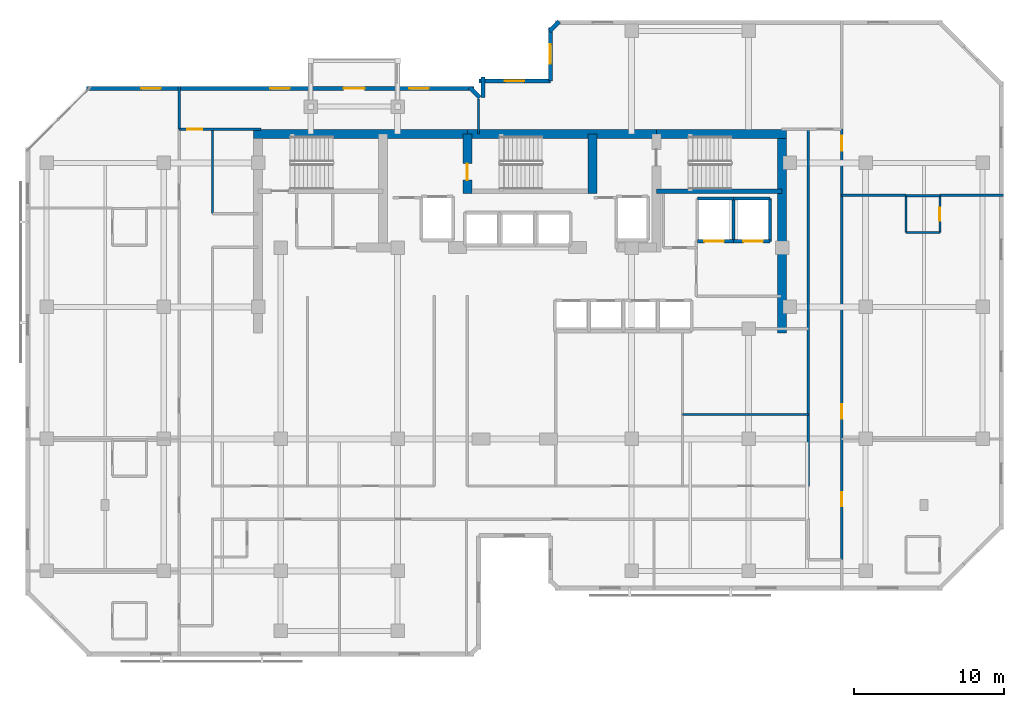
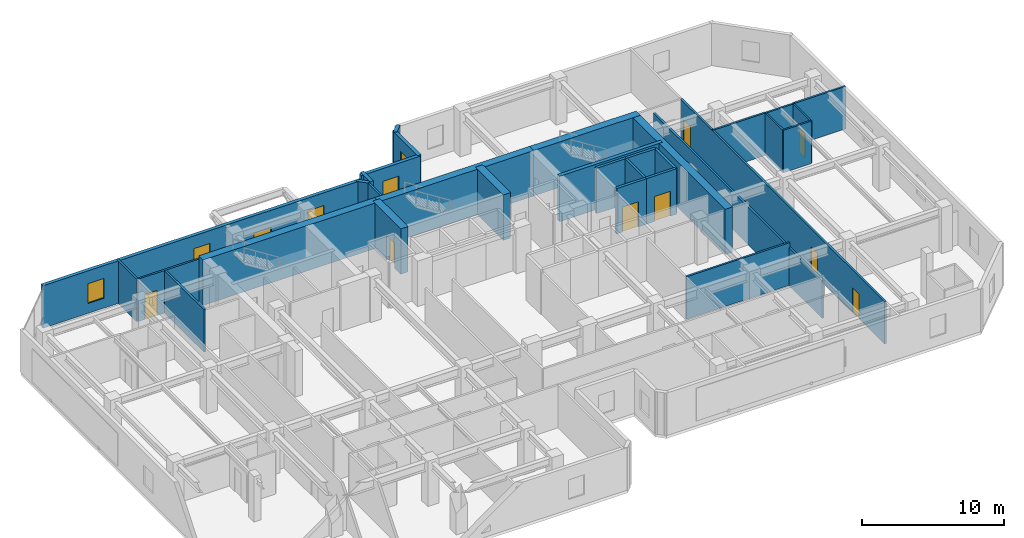
# One storey, part 7 of 10: 32 walls, 9 doors, 5 windows, 14 openings.
"""IFC4 building model written with IfcOpenShell, lengths in metres."""

from ifc_helpers import new_model, si_unit, direction, frame, frame_2d, origin, place, context, subcontext, project, spatial, rectangle, extrude, material, layer, layer_set, type_object, element, fill, save


model = new_model("IFC4")

# Units and contexts
model_context = context("Model", 3, precision=1e-05, world=origin(), true_north=direction((0.0, 1.0)))
body_context = subcontext(model_context, "Body", "Model", "MODEL_VIEW")
ifc_project = project(units=[si_unit("LENGTHUNIT", "METRE"), si_unit("AREAUNIT", "SQUARE_METRE"), si_unit("VOLUMEUNIT", "CUBIC_METRE"), si_unit("PLANEANGLEUNIT", "RADIAN"), si_unit("MASSUNIT", "GRAM", prefix="KILO")], contexts=[model_context])

# Site, building, storey
site_placement = place(None, origin())
site = spatial("IfcSite", under=ifc_project, at=site_placement, CompositionType="ELEMENT")
building_placement = place(site_placement, origin())
building = spatial("IfcBuilding", under=site, at=building_placement, Name="Kestravale Grand Hotel", CompositionType="ELEMENT")
storey_placement = place(building_placement, frame((0.0, 0.0, 212.39990234375)))
storey = spatial("IfcBuildingStorey", under=building, at=storey_placement, Name="L53", CompositionType="ELEMENT", Elevation=212.39990234375)

# Walls
ifc_material_1 = material(Name="Concrete f'c 50 MPa", Category="concrete")
ifc_layer_1 = layer(ifc_material_1, 0.60009765625)
ifc_layer_set_1 = layer_set([ifc_layer_1], Name="EW-CORE-600")
wall_type_1 = type_object("IfcWallType", Name="EW-CORE-600", PredefinedType="SHEAR", material=ifc_layer_set_1)
wall_1_placement = place(storey_placement, frame((21.60009765625, 40.320068359375, 0.0), z_axis=(0.0, 0.0, 1.0), x_axis=(1.0, 0.0, 0.0)))
element("IfcWall", 1, at=wall_1_placement, inside=storey, type_object=wall_type_1, Name="L53 core shear wall N1", PredefinedType="SHEAR", context=body_context, shape_type="SweptSolid", body=[
    extrude(rectangle(XDim=14.25, YDim=0.60009765625, at=frame_2d((7.125, 0.0))), origin(), (0.0, 0.0, 1.0), 3.900146484375),
])
wall_2_placement = place(storey_placement, frame((35.85009765625, 40.320068359375, 0.0), z_axis=(0.0, 0.0, 1.0), x_axis=(1.0, 0.0, 0.0)))
element("IfcWall", 2, at=wall_2_placement, inside=storey, type_object=wall_type_1, Name="L53 core shear wall N2", PredefinedType="SHEAR", context=body_context, shape_type="SweptSolid", body=[
    extrude(rectangle(XDim=12.599853515625, YDim=0.60009765625, at=frame_2d((6.2998046875, 0.0))), origin(), (0.0, 0.0, 1.0), 3.900146484375),
])
wall_3_placement = place(storey_placement, frame((48.449951171875, 40.320068359375, 0.0), z_axis=(0.0, 0.0, 1.0), x_axis=(1.0, 0.0, 0.0)))
element("IfcWall", 3, at=wall_3_placement, inside=storey, type_object=wall_type_1, Name="L53 core shear wall N3", PredefinedType="SHEAR", context=body_context, shape_type="SweptSolid", body=[
    extrude(rectangle(XDim=8.670166015625, YDim=0.60009765625, at=frame_2d((4.3349609375, 0.0))), origin(), (0.0, 0.0, 1.0), 3.900146484375),
])
wall_4_placement = place(storey_placement, frame((56.820068359375, 27.050048828125, 0.0), z_axis=(0.0, 0.0, 1.0), x_axis=(0.0, 1.0, 0.0)))
element("IfcWall", 4, at=wall_4_placement, inside=storey, type_object=wall_type_1, Name="L53 core shear wall E1", PredefinedType="SHEAR", context=body_context, shape_type="SweptSolid", body=[
    extrude(rectangle(XDim=13.570068359375, YDim=0.60009765625, at=frame_2d((6.78515625, 0.0))), origin(), (0.0, 0.0, 1.0), 3.900146484375),
])

# Wall, opening, door
wall_5_placement = place(storey_placement, frame((35.85009765625, 36.3701171875, 0.0), z_axis=(0.0, 0.0, 1.0), x_axis=(0.0, 1.0, 0.0)))
wall_5 = element("IfcWall", 5, at=wall_5_placement, inside=storey, type_object=wall_type_1, Name="L53 core shear wall X2", PredefinedType="SHEAR", context=body_context, shape_type="SweptSolid", body=[
    extrude(rectangle(XDim=3.949951171875, YDim=0.60009765625, at=frame_2d((1.97509765625, 0.0))), origin(), (0.0, 0.0, 1.0), 3.900146484375),
])
opening_1_placement = place(wall_5_placement, frame((0.8798828125, 0.0, 0.0)))
opening_1 = element("IfcOpeningElement", 6, at=opening_1_placement, cuts=wall_5, Name="Opening D-ST-1100", PredefinedType="OPENING", context=body_context, shape_type="SweptSolid", body=[
    extrude(rectangle(XDim=1.10009765625, YDim=2.14990234375, at=frame_2d((0.550048828125, 1.074951171875))), frame((0.0, 0.31005859375, 0.0), z_axis=(0.0, -1.0, 0.0), x_axis=(1.0, 0.0, 0.0)), (0.0, 0.0, 1.0), 0.6201171875),
])
ifc_material_2 = material(Name="Galvanised 90-minute fire-rated steel stair door", Category="steel")
door_type_1 = type_object("IfcDoorType", Name="D-ST-1100", OperationType="NOTDEFINED", PredefinedType="DOOR", material=ifc_material_2)
door_1_placement = place(opening_1_placement, origin())
door_1 = element("IfcDoor", 7, at=door_1_placement, inside=storey, type_object=door_type_1, Name="L53 Stair ST-2 FSAE fire door", OperationType="SINGLE_SWING_RIGHT", OverallHeight=2.14990234375, OverallWidth=1.10009765625, PredefinedType="DOOR", context=body_context, shape_type="SweptSolid", body=[
    extrude(rectangle(XDim=1.10009765625, YDim=2.14990234375, at=frame_2d((0.550048828125, 1.074951171875))), frame((0.0, 0.02490234375, 0.0), z_axis=(0.0, -1.0, 0.0), x_axis=(1.0, 0.0, 0.0)), (0.0, 0.0, 1.0), 0.050048828125),
])
fill(opening_1, door_1)

# Walls
wall_6_placement = place(storey_placement, frame((44.179931640625, 36.3701171875, 0.0), z_axis=(0.0, 0.0, 1.0), x_axis=(0.0, 1.0, 0.0)))
element("IfcWall", 8, at=wall_6_placement, inside=storey, type_object=wall_type_1, Name="L53 core shear wall X3", PredefinedType="SHEAR", context=body_context, shape_type="SweptSolid", body=[
    extrude(rectangle(XDim=3.949951171875, YDim=0.60009765625, at=frame_2d((1.97509765625, 0.0))), origin(), (0.0, 0.0, 1.0), 3.900146484375),
])
ifc_material_3 = material(Name="Precast concrete f'c 45 MPa", Category="concrete")
ifc_layer_2 = layer(ifc_material_3, 0.280029296875)
ifc_layer_set_2 = layer_set([ifc_layer_2], Name="EW-PREC-280")
wall_type_2 = type_object("IfcWallType", Name="EW-PREC-280", PredefinedType="SOLIDWALL", material=ifc_layer_set_2)
wall_7_placement = place(storey_placement, frame((41.977294921875, 47.829345703125, 0.0), z_axis=(0.0, 0.0, 1.0), x_axis=(-0.706975312048, -0.707238225886, 0.0)))
element("IfcWall", 9, at=wall_7_placement, inside=storey, type_object=wall_type_2, Name="L53 fluted precast facade wall 12", PredefinedType="SOLIDWALL", context=body_context, shape_type="SweptSolid", body=[
    extrude(rectangle(XDim=0.9287109375, YDim=0.280029296875, at=frame_2d((0.46435546875, 0.0))), origin(), (0.0, 0.0, 1.0), 3.650146484375),
])

# Wall, opening, window
wall_8_placement = place(storey_placement, frame((41.389892578125, 47.43994140625, 0.0), z_axis=(0.0, 0.0, 1.0), x_axis=(0.0, -1.0, 0.0)))
wall_8 = element("IfcWall", 10, at=wall_8_placement, inside=storey, type_object=wall_type_2, Name="L53 fluted precast facade wall 13", PredefinedType="SOLIDWALL", context=body_context, shape_type="SweptSolid", body=[
    extrude(rectangle(XDim=3.579833984375, YDim=0.280029296875, at=frame_2d((1.7900390625, 0.0))), origin(), (0.0, 0.0, 1.0), 3.650146484375),
])
opening_2_placement = place(wall_8_placement, frame((1.139892578125, 0.0, 0.85009765625)))
opening_2 = element("IfcOpeningElement", 11, at=opening_2_placement, cuts=wall_8, Name="Opening W-GUEST-1300", PredefinedType="OPENING", context=body_context, shape_type="SweptSolid", body=[
    extrude(rectangle(XDim=1.300048828125, YDim=1.699951171875, at=frame_2d((0.64990234375, 0.85009765625))), frame((0.0, 0.14990234375, 0.0), z_axis=(0.0, -1.0, 0.0), x_axis=(1.0, 0.0, 0.0)), (0.0, 0.0, 1.0), 0.300048828125),
])
ifc_material_4 = material(Name="Insulated low-E double glazing in aluminium frame", Category="aluminium")
window_type = type_object("IfcWindowType", Name="W-GUEST-1300", PartitioningType="SINGLE_PANEL", PredefinedType="WINDOW", material=ifc_material_4)
window_1_placement = place(opening_2_placement, origin())
window_1 = element("IfcWindow", 12, at=window_1_placement, inside=storey, type_object=window_type, Name="L53 exterior window 13.1", OverallHeight=1.699951171875, OverallWidth=1.300048828125, PartitioningType="SINGLE_PANEL", PredefinedType="WINDOW", context=body_context, shape_type="SweptSolid", body=[
    extrude(rectangle(XDim=1.300048828125, YDim=1.699951171875, at=frame_2d((0.64990234375, 0.85009765625))), frame((0.0, 0.030029296875, 0.0), z_axis=(0.0, -1.0, 0.0), x_axis=(1.0, 0.0, 0.0)), (0.0, 0.0, 1.0), 0.06005859375),
])
fill(opening_2, window_1)

wall_9_placement = place(storey_placement, frame((41.389892578125, 43.860107421875, 0.0), z_axis=(0.0, 0.0, 1.0), x_axis=(-1.0, 0.0, 0.0)))
wall_9 = element("IfcWall", 13, at=wall_9_placement, inside=storey, type_object=wall_type_2, Name="L53 fluted precast facade wall 14", PredefinedType="SOLIDWALL", context=body_context, shape_type="SweptSolid", body=[
    extrude(rectangle(XDim=4.77978515625, YDim=0.280029296875, at=frame_2d((2.389892578125, 0.0))), origin(), (0.0, 0.0, 1.0), 3.650146484375),
])
opening_3_placement = place(wall_9_placement, frame((1.739990234375, 0.0, 0.85009765625)))
opening_3 = element("IfcOpeningElement", 14, at=opening_3_placement, cuts=wall_9, Name="Opening W-GUEST-1300", PredefinedType="OPENING", context=body_context, shape_type="SweptSolid", body=[
    extrude(rectangle(XDim=1.300048828125, YDim=1.699951171875, at=frame_2d((0.64990234375, 0.85009765625))), frame((0.0, 0.14990234375, 0.0), z_axis=(0.0, -1.0, 0.0), x_axis=(1.0, 0.0, 0.0)), (0.0, 0.0, 1.0), 0.300048828125),
])
window_2_placement = place(opening_3_placement, origin())
window_2 = element("IfcWindow", 15, at=window_2_placement, inside=storey, type_object=window_type, Name="L53 exterior window 14.1", OverallHeight=1.699951171875, OverallWidth=1.300048828125, PartitioningType="SINGLE_PANEL", PredefinedType="WINDOW", context=body_context, shape_type="SweptSolid", body=[
    extrude(rectangle(XDim=1.300048828125, YDim=1.699951171875, at=frame_2d((0.64990234375, 0.85009765625))), frame((0.0, 0.030029296875, 0.0), z_axis=(0.0, -1.0, 0.0), x_axis=(1.0, 0.0, 0.0)), (0.0, 0.0, 1.0), 0.06005859375),
])
fill(opening_3, window_2)

# Walls
wall_10_placement = place(storey_placement, frame((36.889892578125, 44.139892578125, 0.0), z_axis=(0.0, 0.0, 1.0), x_axis=(0.0, -1.0, 0.0)))
element("IfcWall", 16, at=wall_10_placement, inside=storey, type_object=wall_type_2, Name="L53 fluted precast facade wall 15", PredefinedType="SOLIDWALL", context=body_context, shape_type="SweptSolid", body=[
    extrude(rectangle(XDim=1.3798828125, YDim=0.280029296875, at=frame_2d((0.68994140625, 0.0))), origin(), (0.0, 0.0, 1.0), 3.650146484375),
])
wall_11_placement = place(storey_placement, frame((36.67919921875, 42.772705078125, 0.0), z_axis=(0.0, 0.0, 1.0), x_axis=(-0.707106781187, 0.707106781187, 0.0)))
element("IfcWall", 17, at=wall_11_placement, inside=storey, type_object=wall_type_2, Name="L53 fluted precast facade wall 16", PredefinedType="SOLIDWALL", context=body_context, shape_type="SweptSolid", body=[
    extrude(rectangle(XDim=0.928466796875, YDim=0.280029296875, at=frame_2d((0.46435546875, 0.0))), origin(), (0.0, 0.0, 1.0), 3.650146484375),
])

# Wall, openings, door, windows
wall_12_placement = place(storey_placement, frame((36.2900390625, 43.360107421875, 0.0), z_axis=(0.0, 0.0, 1.0), x_axis=(-1.0, 0.0, 0.0)))
wall_12 = element("IfcWall", 18, at=wall_12_placement, inside=storey, type_object=wall_type_2, Name="L53 fluted precast facade wall 17", PredefinedType="SOLIDWALL", context=body_context, shape_type="SweptSolid", body=[
    extrude(rectangle(XDim=25.830078125, YDim=0.280029296875, at=frame_2d((12.9150390625, 0.0))), origin(), (0.0, 0.0, 1.0), 3.650146484375),
])
opening_4_placement = place(wall_12_placement, frame((7.2900390625, 0.0, 0.0)))
opening_4 = element("IfcOpeningElement", 19, at=opening_4_placement, cuts=wall_12, Name="Opening D-TERR-1400", PredefinedType="OPENING", context=body_context, shape_type="SweptSolid", body=[
    extrude(rectangle(XDim=1.39990234375, YDim=2.14990234375, at=frame_2d((0.699951171875, 1.074951171875))), frame((0.0, 0.14990234375, 0.0), z_axis=(0.0, -1.0, 0.0), x_axis=(1.0, 0.0, 0.0)), (0.0, 0.0, 1.0), 0.300048828125),
])
opening_5_placement = place(wall_12_placement, frame((3.0048828125, 0.0, 0.85009765625)))
opening_5 = element("IfcOpeningElement", 20, at=opening_5_placement, cuts=wall_12, Name="Opening W-GUEST-1300", PredefinedType="OPENING", context=body_context, shape_type="SweptSolid", body=[
    extrude(rectangle(XDim=1.300048828125, YDim=1.699951171875, at=frame_2d((0.64990234375, 0.85009765625))), frame((0.0, 0.14990234375, 0.0), z_axis=(0.0, -1.0, 0.0), x_axis=(1.0, 0.0, 0.0)), (0.0, 0.0, 1.0), 0.300048828125),
])
opening_6_placement = place(wall_12_placement, frame((12.264892578125, 0.0, 0.85009765625)))
opening_6 = element("IfcOpeningElement", 21, at=opening_6_placement, cuts=wall_12, Name="Opening W-GUEST-1300", PredefinedType="OPENING", context=body_context, shape_type="SweptSolid", body=[
    extrude(rectangle(XDim=1.300048828125, YDim=1.699951171875, at=frame_2d((0.64990234375, 0.85009765625))), frame((0.0, 0.14990234375, 0.0), z_axis=(0.0, -1.0, 0.0), x_axis=(1.0, 0.0, 0.0)), (0.0, 0.0, 1.0), 0.300048828125),
])
opening_7_placement = place(wall_12_placement, frame((20.875, 0.0, 0.85009765625)))
opening_7 = element("IfcOpeningElement", 22, at=opening_7_placement, cuts=wall_12, Name="Opening W-GUEST-1300", PredefinedType="OPENING", context=body_context, shape_type="SweptSolid", body=[
    extrude(rectangle(XDim=1.300048828125, YDim=1.699951171875, at=frame_2d((0.64990234375, 0.85009765625))), frame((0.0, 0.14990234375, 0.0), z_axis=(0.0, -1.0, 0.0), x_axis=(1.0, 0.0, 0.0)), (0.0, 0.0, 1.0), 0.300048828125),
])
ifc_material_5 = material(Name="Insulated glazed champagne-bronze aluminium door", Category="aluminium")
door_type_2 = type_object("IfcDoorType", Name="D-TERR-1400", OperationType="NOTDEFINED", PredefinedType="DOOR", material=ifc_material_5)
door_2_placement = place(opening_4_placement, origin())
door_2 = element("IfcDoor", 23, at=door_2_placement, inside=storey, type_object=door_type_2, Name="L53 outdoor garden terrace door", OperationType="DOUBLE_DOOR_SINGLE_SWING", OverallHeight=2.14990234375, OverallWidth=1.39990234375, PredefinedType="DOOR", context=body_context, shape_type="SweptSolid", body=[
    extrude(rectangle(XDim=1.39990234375, YDim=2.14990234375, at=frame_2d((0.699951171875, 1.074951171875))), frame((0.0, 0.02490234375, 0.0), z_axis=(0.0, -1.0, 0.0), x_axis=(1.0, 0.0, 0.0)), (0.0, 0.0, 1.0), 0.050048828125),
])
fill(opening_4, door_2)
window_3_placement = place(opening_5_placement, origin())
window_3 = element("IfcWindow", 24, at=window_3_placement, inside=storey, type_object=window_type, Name="L53 exterior window 17.1", OverallHeight=1.699951171875, OverallWidth=1.300048828125, PartitioningType="SINGLE_PANEL", PredefinedType="WINDOW", context=body_context, shape_type="SweptSolid", body=[
    extrude(rectangle(XDim=1.300048828125, YDim=1.699951171875, at=frame_2d((0.64990234375, 0.85009765625))), frame((0.0, 0.030029296875, 0.0), z_axis=(0.0, -1.0, 0.0), x_axis=(1.0, 0.0, 0.0)), (0.0, 0.0, 1.0), 0.06005859375),
])
fill(opening_5, window_3)
window_4_placement = place(opening_6_placement, origin())
window_4 = element("IfcWindow", 25, at=window_4_placement, inside=storey, type_object=window_type, Name="L53 exterior window 17.2", OverallHeight=1.699951171875, OverallWidth=1.300048828125, PartitioningType="SINGLE_PANEL", PredefinedType="WINDOW", context=body_context, shape_type="SweptSolid", body=[
    extrude(rectangle(XDim=1.300048828125, YDim=1.699951171875, at=frame_2d((0.64990234375, 0.85009765625))), frame((0.0, 0.030029296875, 0.0), z_axis=(0.0, -1.0, 0.0), x_axis=(1.0, 0.0, 0.0)), (0.0, 0.0, 1.0), 0.06005859375),
])
fill(opening_6, window_4)
window_5_placement = place(opening_7_placement, origin())
window_5 = element("IfcWindow", 26, at=window_5_placement, inside=storey, type_object=window_type, Name="L53 exterior window 17.3", OverallHeight=1.699951171875, OverallWidth=1.300048828125, PartitioningType="SINGLE_PANEL", PredefinedType="WINDOW", context=body_context, shape_type="SweptSolid", body=[
    extrude(rectangle(XDim=1.300048828125, YDim=1.699951171875, at=frame_2d((0.64990234375, 0.85009765625))), frame((0.0, 0.030029296875, 0.0), z_axis=(0.0, -1.0, 0.0), x_axis=(1.0, 0.0, 0.0)), (0.0, 0.0, 1.0), 0.06005859375),
])
fill(opening_7, window_5)

# Walls
ifc_material_6 = material(Name="Concrete f'c 45 MPa", Category="concrete")
ifc_layer_3 = layer(ifc_material_6, 0.300048828125)
ifc_layer_set_3 = layer_set([ifc_layer_3], Name="EW-STAIR-300")
wall_type_3 = type_object("IfcWallType", Name="EW-STAIR-300", PredefinedType="SHEAR", material=ifc_layer_set_3)
wall_13_placement = place(storey_placement, frame((48.449951171875, 36.52001953125, 0.0), z_axis=(0.0, 0.0, 1.0), x_axis=(1.0, 0.0, 0.0)))
element("IfcWall", 27, at=wall_13_placement, inside=storey, type_object=wall_type_3, Name="L53 stair enclosure shear wall SST3", PredefinedType="SHEAR", context=body_context, shape_type="SweptSolid", body=[
    extrude(rectangle(XDim=8.3701171875, YDim=0.300048828125, at=frame_2d((4.18505859375, 0.0))), origin(), (0.0, 0.0, 1.0), 3.900146484375),
])
ifc_material_7 = material(Name="Acoustic fire-rated gypsum board partition", Category="other")
ifc_layer_4 = layer(ifc_material_7, 0.159912109375)
ifc_layer_set_4 = layer_set([ifc_layer_4], Name="IW-CORR-160")
wall_type_4 = type_object("IfcWallType", Name="IW-CORR-160", PredefinedType="PARTITIONING", material=ifc_layer_set_4)
wall_14_placement = place(storey_placement, frame((18.860107421875, 35.02001953125, 0.0), z_axis=(0.0, 0.0, 1.0), x_axis=(0.0, 1.0, 0.0)))
element("IfcWall", 28, at=wall_14_placement, inside=storey, type_object=wall_type_4, Name="W-L53-SW-EN", PredefinedType="PARTITIONING", context=body_context, shape_type="SweptSolid", body=[
    extrude(rectangle(XDim=5.6298828125, YDim=0.159912109375, at=frame_2d((2.81494140625, 0.0))), origin(), (0.0, 0.0, 1.0), 3.650146484375),
])

# Wall, openings, doors
wall_15_placement = place(storey_placement, frame((60.81005859375, 11.949951171875, 0.0), z_axis=(0.0, 0.0, 1.0), x_axis=(0.0, 1.0, 0.0)))
wall_15 = element("IfcWall", 29, at=wall_15_placement, inside=storey, type_object=wall_type_4, Name="W-L53-SE-E", PredefinedType="PARTITIONING", context=body_context, shape_type="SweptSolid", body=[
    extrude(rectangle(XDim=28.699951171875, YDim=0.159912109375, at=frame_2d((14.35009765625, 0.0))), origin(), (0.0, 0.0, 1.0), 3.650146484375),
])
opening_8_placement = place(wall_15_placement, frame((3.550048828125, 0.0, 0.0)))
opening_8 = element("IfcOpeningElement", 30, at=opening_8_placement, cuts=wall_15, Name="Opening D-GUEST-950", PredefinedType="OPENING", context=body_context, shape_type="SweptSolid", body=[
    extrude(rectangle(XDim=0.949951171875, YDim=2.10009765625, at=frame_2d((0.47509765625, 1.050048828125))), frame((0.0, 0.08984375, 0.0), z_axis=(0.0, -1.0, 0.0), x_axis=(1.0, 0.0, 0.0)), (0.0, 0.0, 1.0), 0.179931640625),
])
opening_9_placement = place(wall_15_placement, frame((9.40869140625, 0.0, 0.0)))
opening_9 = element("IfcOpeningElement", 31, at=opening_9_placement, cuts=wall_15, Name="Opening D-GUEST-950", PredefinedType="OPENING", context=body_context, shape_type="SweptSolid", body=[
    extrude(rectangle(XDim=0.949951171875, YDim=2.10009765625, at=frame_2d((0.47509765625, 1.050048828125))), frame((0.0, 0.08984375, 0.0), z_axis=(0.0, -1.0, 0.0), x_axis=(1.0, 0.0, 0.0)), (0.0, 0.0, 1.0), 0.179931640625),
])
opening_10_placement = place(wall_15_placement, frame((27.260009765625, 0.0, 0.0)))
opening_10 = element("IfcOpeningElement", 32, at=opening_10_placement, cuts=wall_15, Name="Opening D-GUEST-1000", PredefinedType="OPENING", context=body_context, shape_type="SweptSolid", body=[
    extrude(rectangle(XDim=1.0, YDim=2.14990234375, at=frame_2d((0.5, 1.074951171875))), frame((0.0, 0.08984375, 0.0), z_axis=(0.0, -1.0, 0.0), x_axis=(1.0, 0.0, 0.0)), (0.0, 0.0, 1.0), 0.179931640625),
])
ifc_material_8 = material(Name="Accessible walnut veneer hotel entrance fire door", Category="wood")
door_type_3 = type_object("IfcDoorType", Name="D-GUEST-1000", OperationType="NOTDEFINED", PredefinedType="DOOR", material=ifc_material_8)
door_3_placement = place(opening_10_placement, origin())
door_3 = element("IfcDoor", 33, at=door_3_placement, inside=storey, type_object=door_type_3, Name="D-L53-AMEW", OperationType="SINGLE_SWING_RIGHT", OverallHeight=2.14990234375, OverallWidth=1.0, PredefinedType="DOOR", context=body_context, shape_type="SweptSolid", body=[
    extrude(rectangle(XDim=1.0, YDim=2.14990234375, at=frame_2d((0.5, 1.074951171875))), frame((0.0, 0.02490234375, 0.0), z_axis=(0.0, -1.0, 0.0), x_axis=(1.0, 0.0, 0.0)), (0.0, 0.0, 1.0), 0.050048828125),
])
fill(opening_10, door_3)
ifc_material_9 = material(Name="Walnut veneer hotel guestroom entrance fire door", Category="wood")
door_type_4 = type_object("IfcDoorType", Name="D-GUEST-950", OperationType="NOTDEFINED", PredefinedType="DOOR", material=ifc_material_9)
door_4_placement = place(opening_8_placement, origin())
door_4 = element("IfcDoor", 34, at=door_4_placement, inside=storey, type_object=door_type_4, Name="D-L53-U05-ENT", OperationType="SINGLE_SWING_LEFT", OverallHeight=2.10009765625, OverallWidth=0.949951171875, PredefinedType="DOOR", context=body_context, shape_type="SweptSolid", body=[
    extrude(rectangle(XDim=0.949951171875, YDim=2.10009765625, at=frame_2d((0.47509765625, 1.050048828125))), frame((0.0, 0.02490234375, 0.0), z_axis=(0.0, -1.0, 0.0), x_axis=(1.0, 0.0, 0.0)), (0.0, 0.0, 1.0), 0.050048828125),
])
fill(opening_8, door_4)
door_5_placement = place(opening_9_placement, origin())
door_5 = element("IfcDoor", 35, at=door_5_placement, inside=storey, type_object=door_type_4, Name="D-L53-U06-ENT", OperationType="SINGLE_SWING_LEFT", OverallHeight=2.10009765625, OverallWidth=0.949951171875, PredefinedType="DOOR", context=body_context, shape_type="SweptSolid", body=[
    extrude(rectangle(XDim=0.949951171875, YDim=2.10009765625, at=frame_2d((0.47509765625, 1.050048828125))), frame((0.0, 0.02490234375, 0.0), z_axis=(0.0, -1.0, 0.0), x_axis=(1.0, 0.0, 0.0)), (0.0, 0.0, 1.0), 0.050048828125),
])
fill(opening_9, door_5)

# Walls
wall_16_placement = place(storey_placement, frame((58.590087890625, 16.860107421875, 0.0), z_axis=(0.0, 0.0, 1.0), x_axis=(0.0, 1.0, 0.0)))
element("IfcWall", 36, at=wall_16_placement, inside=storey, type_object=wall_type_4, Name="W-L53-SE-WU", PredefinedType="PARTITIONING", context=body_context, shape_type="SweptSolid", body=[
    extrude(rectangle(XDim=23.789794921875, YDim=0.159912109375, at=frame_2d((11.89501953125, 0.0))), origin(), (0.0, 0.0, 1.0), 3.24609375),
])
ifc_material_10 = material(Name="Moisture-resistant tile-backer plumbing chase wall", Category="other")
ifc_layer_5 = layer(ifc_material_10, 0.139892578125)
ifc_layer_set_5 = layer_set([ifc_layer_5], Name="IW-PLB-140")
wall_type_5 = type_object("IfcWallType", Name="IW-PLB-140", PredefinedType="PLUMBINGWALL", material=ifc_layer_set_5)
wall_17_placement = place(storey_placement, frame((65.10009765625, 33.760009765625, 0.0), z_axis=(0.0, 0.0, 1.0), x_axis=(0.0, 1.0, 0.0)))
element("IfcWall", 37, at=wall_17_placement, inside=storey, type_object=wall_type_5, Name="W-L53-U06-BW", PredefinedType="PLUMBINGWALL", context=body_context, shape_type="SweptSolid", body=[
    extrude(rectangle(XDim=2.449951171875, YDim=0.139892578125, at=frame_2d((1.22509765625, 0.0))), origin(), (0.0, 0.0, 1.0), 3.650146484375),
])

# Wall, opening, door
wall_18_placement = place(storey_placement, frame((67.35009765625, 33.760009765625, 0.0), z_axis=(0.0, 0.0, 1.0), x_axis=(0.0, 1.0, 0.0)))
wall_18 = element("IfcWall", 38, at=wall_18_placement, inside=storey, type_object=wall_type_5, Name="W-L53-U06-BE", PredefinedType="PLUMBINGWALL", context=body_context, shape_type="SweptSolid", body=[
    extrude(rectangle(XDim=2.449951171875, YDim=0.139892578125, at=frame_2d((1.22509765625, 0.0))), origin(), (0.0, 0.0, 1.0), 3.650146484375),
])
opening_11_placement = place(wall_18_placement, frame((0.784912109375, 0.0, 0.0)))
opening_11 = element("IfcOpeningElement", 39, at=opening_11_placement, cuts=wall_18, Name="Opening D-BATH-880", PredefinedType="OPENING", context=body_context, shape_type="SweptSolid", body=[
    extrude(rectangle(XDim=0.8798828125, YDim=2.050048828125, at=frame_2d((0.43994140625, 1.02490234375))), frame((0.0, 0.079833984375, 0.0), z_axis=(0.0, -1.0, 0.0), x_axis=(1.0, 0.0, 0.0)), (0.0, 0.0, 1.0), 0.159912109375),
])
ifc_material_11 = material(Name="Moisture-sealed walnut en-suite bathroom door", Category="wood")
door_type_5 = type_object("IfcDoorType", Name="D-BATH-880", OperationType="NOTDEFINED", PredefinedType="DOOR", material=ifc_material_11)
door_6_placement = place(opening_11_placement, origin())
door_6 = element("IfcDoor", 40, at=door_6_placement, inside=storey, type_object=door_type_5, Name="D-L53-U06-BATH", OperationType="SINGLE_SWING_RIGHT", OverallHeight=2.050048828125, OverallWidth=0.8798828125, PredefinedType="DOOR", context=body_context, shape_type="SweptSolid", body=[
    extrude(rectangle(XDim=0.8798828125, YDim=2.050048828125, at=frame_2d((0.43994140625, 1.02490234375))), frame((0.0, 0.02490234375, 0.0), z_axis=(0.0, -1.0, 0.0), x_axis=(1.0, 0.0, 0.0)), (0.0, 0.0, 1.0), 0.050048828125),
])
fill(opening_11, door_6)

# Walls
for number, where, z_axis, x_axis, name in (
    (41, (65.10009765625, 33.760009765625, 0.0), (0.0, 0.0, 1.0), (1.0, 0.0, 0.0), "W-L53-U06-BS"),
    (42, (65.10009765625, 36.2099609375, 0.0), (0.0, 0.0, 1.0), (1.0, 0.0, 0.0), "W-L53-U06-BN"),
):
    element("IfcWall", number, at=place(storey_placement, frame(where, z_axis=z_axis, x_axis=x_axis)), inside=storey, type_object=wall_type_5, Name=name, PredefinedType="PLUMBINGWALL", context=body_context, shape_type="SweptSolid", body=[
        extrude(rectangle(XDim=2.25, YDim=0.139892578125, at=frame_2d((1.125, 0.0))), origin(), (0.0, 0.0, 1.0), 3.650146484375),
    ])
ifc_material_12 = material(Name="Concrete f'c 45 MPa", Category="concrete")
ifc_layer_6 = layer(ifc_material_12, 0.199951171875)
ifc_layer_set_6 = layer_set([ifc_layer_6], Name="IW-SHAFT-200")
wall_type_6 = type_object("IfcWallType", Name="IW-SHAFT-200", PredefinedType="SHEAR", material=ifc_layer_set_6)
for number, where, z_axis, x_axis, name in (
    (43, (53.60009765625, 33.169921875, 0.0), (0.0, 0.0, 1.0), (0.0, 1.0, 0.0), "L53 SL-2 west shaft wall"),
    (44, (56.02001953125, 33.169921875, 0.0), (0.0, 0.0, 1.0), (0.0, 1.0, 0.0), "L53 SL-2 east shaft wall"),
):
    element("IfcWall", number, at=place(storey_placement, frame(where, z_axis=z_axis, x_axis=x_axis)), inside=storey, type_object=wall_type_6, Name=name, PredefinedType="SHEAR", context=body_context, shape_type="SweptSolid", body=[
        extrude(rectangle(XDim=2.860107421875, YDim=0.199951171875, at=frame_2d((1.43017578125, 0.0))), origin(), (0.0, 0.0, 1.0), 3.900146484375),
    ])
ifc_material_13 = material(Name="Concrete f'c 45 MPa", Category="concrete")
ifc_layer_7 = layer(ifc_material_13, 0.219970703125)
ifc_layer_set_7 = layer_set([ifc_layer_7], Name="IW-SHAFT-220")
wall_type_7 = type_object("IfcWallType", Name="IW-SHAFT-220", PredefinedType="SHEAR", material=ifc_layer_set_7)
wall_19_placement = place(storey_placement, frame((51.179931640625, 36.030029296875, 0.0), z_axis=(0.0, 0.0, 1.0), x_axis=(1.0, 0.0, 0.0)))
element("IfcWall", 45, at=wall_19_placement, inside=storey, type_object=wall_type_7, Name="L53 SL-1 north shaft wall", PredefinedType="SHEAR", context=body_context, shape_type="SweptSolid", body=[
    extrude(rectangle(XDim=2.420166015625, YDim=0.219970703125, at=frame_2d((1.2099609375, 0.0))), origin(), (0.0, 0.0, 1.0), 3.900146484375),
])

# Wall, opening, door
wall_20_placement = place(storey_placement, frame((51.179931640625, 33.169921875, 0.0), z_axis=(0.0, 0.0, 1.0), x_axis=(1.0, 0.0, 0.0)))
wall_20 = element("IfcWall", 46, at=wall_20_placement, inside=storey, type_object=wall_type_7, Name="L53 SL-1 south shaft wall", PredefinedType="SHEAR", context=body_context, shape_type="SweptSolid", body=[
    extrude(rectangle(XDim=2.420166015625, YDim=0.219970703125, at=frame_2d((1.2099609375, 0.0))), origin(), (0.0, 0.0, 1.0), 3.900146484375),
])
opening_12_placement = place(wall_20_placement, frame((0.469970703125, 0.0, 0.0)))
opening_12 = element("IfcOpeningElement", 47, at=opening_12_placement, cuts=wall_20, Name="Opening LD-SVC-1300", PredefinedType="OPENING", context=body_context, shape_type="SweptSolid", body=[
    extrude(rectangle(XDim=1.300048828125, YDim=2.14990234375, at=frame_2d((0.64990234375, 1.074951171875))), frame((0.0, 0.119873046875, 0.0), z_axis=(0.0, -1.0, 0.0), x_axis=(1.0, 0.0, 0.0)), (0.0, 0.0, 1.0), 0.239990234375),
])
ifc_material_14 = material(Name="Heavy-duty service sliding elevator landing door", Category="steel")
door_type_6 = type_object("IfcDoorType", Name="LD-SVC-1300", OperationType="NOTDEFINED", PredefinedType="DOOR", material=ifc_material_14)
door_7_placement = place(opening_12_placement, origin())
door_7 = element("IfcDoor", 48, at=door_7_placement, inside=storey, type_object=door_type_6, Name="L53 SL-1 elevator landing sliding door", OperationType="DOUBLE_DOOR_SLIDING", OverallHeight=2.14990234375, OverallWidth=1.300048828125, PredefinedType="DOOR", context=body_context, shape_type="SweptSolid", body=[
    extrude(rectangle(XDim=1.300048828125, YDim=2.14990234375, at=frame_2d((0.64990234375, 1.074951171875))), frame((0.0, 0.02490234375, 0.0), z_axis=(0.0, -1.0, 0.0), x_axis=(1.0, 0.0, 0.0)), (0.0, 0.0, 1.0), 0.050048828125),
])
fill(opening_12, door_7)

# Wall
wall_21_placement = place(storey_placement, frame((53.60009765625, 36.030029296875, 0.0), z_axis=(0.0, 0.0, 1.0), x_axis=(1.0, 0.0, 0.0)))
element("IfcWall", 49, at=wall_21_placement, inside=storey, type_object=wall_type_7, Name="L53 SL-2 north shaft wall", PredefinedType="SHEAR", context=body_context, shape_type="SweptSolid", body=[
    extrude(rectangle(XDim=2.419921875, YDim=0.219970703125, at=frame_2d((1.2099609375, 0.0))), origin(), (0.0, 0.0, 1.0), 3.900146484375),
])

# Wall, opening, door
wall_22_placement = place(storey_placement, frame((53.60009765625, 33.169921875, 0.0), z_axis=(0.0, 0.0, 1.0), x_axis=(1.0, 0.0, 0.0)))
wall_22 = element("IfcWall", 50, at=wall_22_placement, inside=storey, type_object=wall_type_7, Name="L53 SL-2 south shaft wall", PredefinedType="SHEAR", context=body_context, shape_type="SweptSolid", body=[
    extrude(rectangle(XDim=2.419921875, YDim=0.219970703125, at=frame_2d((1.2099609375, 0.0))), origin(), (0.0, 0.0, 1.0), 3.900146484375),
])
opening_13_placement = place(wall_22_placement, frame((0.64990234375, 0.0, 0.0)))
opening_13 = element("IfcOpeningElement", 51, at=opening_13_placement, cuts=wall_22, Name="Opening LD-SVC-1300", PredefinedType="OPENING", context=body_context, shape_type="SweptSolid", body=[
    extrude(rectangle(XDim=1.300048828125, YDim=2.14990234375, at=frame_2d((0.64990234375, 1.074951171875))), frame((0.0, 0.119873046875, 0.0), z_axis=(0.0, -1.0, 0.0), x_axis=(1.0, 0.0, 0.0)), (0.0, 0.0, 1.0), 0.239990234375),
])
door_8_placement = place(opening_13_placement, origin())
door_8 = element("IfcDoor", 52, at=door_8_placement, inside=storey, type_object=door_type_6, Name="L53 SL-2 elevator landing sliding door", OperationType="DOUBLE_DOOR_SLIDING", OverallHeight=2.14990234375, OverallWidth=1.300048828125, PredefinedType="DOOR", context=body_context, shape_type="SweptSolid", body=[
    extrude(rectangle(XDim=1.300048828125, YDim=2.14990234375, at=frame_2d((0.64990234375, 1.074951171875))), frame((0.0, 0.02490234375, 0.0), z_axis=(0.0, -1.0, 0.0), x_axis=(1.0, 0.0, 0.0)), (0.0, 0.0, 1.0), 0.050048828125),
])
fill(opening_13, door_8)

ifc_material_15 = material(Name="Double-stud STC 52 acoustic demising partition", Category="other")
ifc_layer_8 = layer(ifc_material_15, 0.14990234375)
ifc_layer_set_8 = layer_set([ifc_layer_8], Name="IW-UNIT-150")
wall_type_8 = type_object("IfcWallType", Name="IW-UNIT-150", PredefinedType="PARTITIONING", material=ifc_layer_set_8)
wall_23_placement = place(storey_placement, frame((16.639892578125, 40.64990234375, 0.0), z_axis=(0.0, 0.0, 1.0), x_axis=(1.0, 0.0, 0.0)))
wall_23 = element("IfcWall", 53, at=wall_23_placement, inside=storey, type_object=wall_type_8, Name="W-L53-SW-N", PredefinedType="PARTITIONING", context=body_context, shape_type="SweptSolid", body=[
    extrude(rectangle(XDim=5.460205078125, YDim=0.14990234375, at=frame_2d((2.72998046875, 0.0))), origin(), (0.0, 0.0, 1.0), 3.650146484375),
])
opening_14_placement = place(wall_23_placement, frame((0.550048828125, 0.0, 0.0)))
opening_14 = element("IfcOpeningElement", 54, at=opening_14_placement, cuts=wall_23, Name="Opening D-GUEST-1000", PredefinedType="OPENING", context=body_context, shape_type="SweptSolid", body=[
    extrude(rectangle(XDim=1.0, YDim=2.14990234375, at=frame_2d((0.5, 1.074951171875))), frame((0.0, 0.0849609375, 0.0), z_axis=(0.0, -1.0, 0.0), x_axis=(1.0, 0.0, 0.0)), (0.0, 0.0, 1.0), 0.169921875),
])
door_9_placement = place(opening_14_placement, origin())
door_9 = element("IfcDoor", 55, at=door_9_placement, inside=storey, type_object=door_type_3, Name="L53 NW Gallery Door", OperationType="SINGLE_SWING_RIGHT", OverallHeight=2.14990234375, OverallWidth=1.0, PredefinedType="DOOR", context=body_context, shape_type="SweptSolid", body=[
    extrude(rectangle(XDim=1.0, YDim=2.14990234375, at=frame_2d((0.5, 1.074951171875))), frame((0.0, 0.02490234375, 0.0), z_axis=(0.0, -1.0, 0.0), x_axis=(1.0, 0.0, 0.0)), (0.0, 0.0, 1.0), 0.050048828125),
])
fill(opening_14, door_9)

# Walls
wall_24_placement = place(storey_placement, frame((50.199951171875, 21.6201171875, 0.0), z_axis=(0.0, 0.0, 1.0), x_axis=(1.0, 0.0, 0.0)))
element("IfcWall", 56, at=wall_24_placement, inside=storey, type_object=wall_type_8, Name="W-L53-RCLE-H", PredefinedType="PARTITIONING", context=body_context, shape_type="SweptSolid", body=[
    extrude(rectangle(XDim=8.39013671875, YDim=0.14990234375, at=frame_2d((4.195068359375, 0.0))), origin(), (0.0, 0.0, 1.0), 3.650146484375),
])
wall_25_placement = place(storey_placement, frame((16.639892578125, 40.64990234375, 0.0), z_axis=(0.0, 0.0, 1.0), x_axis=(0.0, 1.0, 0.0)))
element("IfcWall", 57, at=wall_25_placement, inside=storey, type_object=wall_type_8, Name="W-L53-NGW-W", PredefinedType="PARTITIONING", context=body_context, shape_type="SweptSolid", body=[
    extrude(rectangle(XDim=2.830078125, YDim=0.14990234375, at=frame_2d((1.4150390625, 0.0))), origin(), (0.0, 0.0, 1.0), 3.650146484375),
])
wall_26_placement = place(storey_placement, frame((36.60009765625, 40.320068359375, 0.0), z_axis=(0.0, 0.0, 1.0), x_axis=(0.0, 1.0, 0.0)))
element("IfcWall", 58, at=wall_26_placement, inside=storey, type_object=wall_type_8, Name="W-L53-NGM", PredefinedType="PARTITIONING", context=body_context, shape_type="SweptSolid", body=[
    extrude(rectangle(XDim=2.344970703125, YDim=0.14990234375, at=frame_2d((1.17236328125, 0.0))), origin(), (0.0, 0.0, 1.0), 3.650146484375),
])
wall_27_placement = place(storey_placement, frame((60.81005859375, 36.25, 0.0), z_axis=(0.0, 0.0, 1.0), x_axis=(1.0, 0.0, 0.0)))
element("IfcWall", 59, at=wall_27_placement, inside=storey, type_object=wall_type_8, Name="W-L53-EW-2", PredefinedType="PARTITIONING", context=body_context, shape_type="SweptSolid", body=[
    extrude(rectangle(XDim=4.2900390625, YDim=0.14990234375, at=frame_2d((2.14501953125, 0.0))), origin(), (0.0, 0.0, 1.0), 3.650146484375),
])
wall_28_placement = place(storey_placement, frame((67.35009765625, 36.25, 0.0), z_axis=(0.0, 0.0, 1.0), x_axis=(1.0, 0.0, 0.0)))
element("IfcWall", 60, at=wall_28_placement, inside=storey, type_object=wall_type_8, Name="W-L53-EW-2", PredefinedType="PARTITIONING", context=body_context, shape_type="SweptSolid", body=[
    extrude(rectangle(XDim=4.22998046875, YDim=0.14990234375, at=frame_2d((2.114990234375, 0.0))), origin(), (0.0, 0.0, 1.0), 3.650146484375),
])

save(model, "model.ifc")
